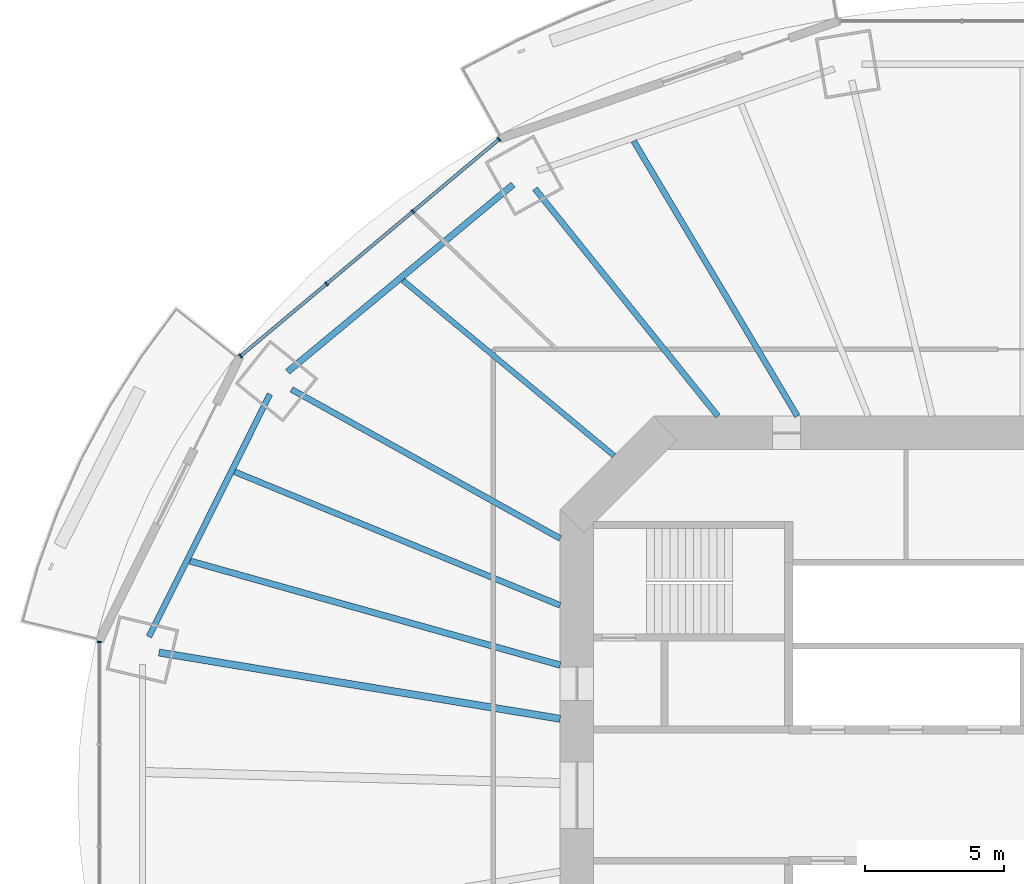
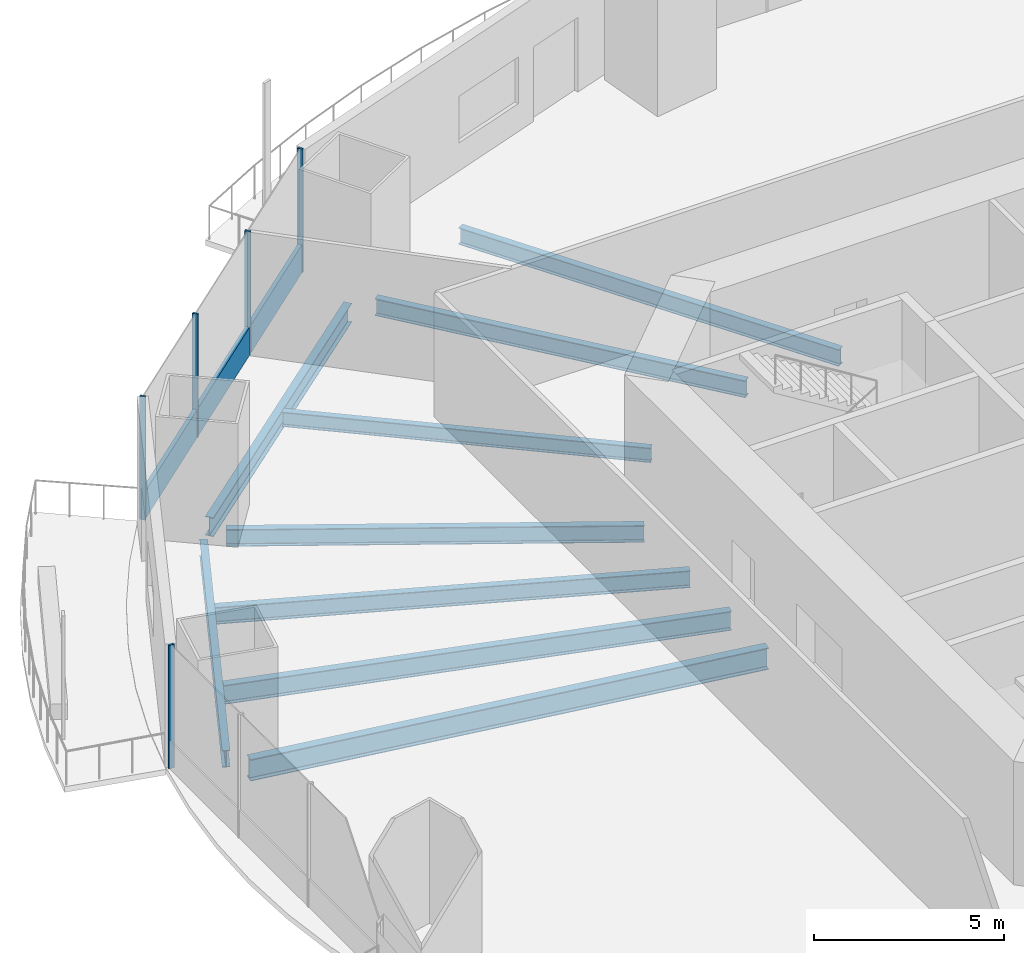
# One storey, part 6 of 21: 9 beams, 6 members, 2 elements without a shape of their own.
"""IFC4 building model written with IfcOpenShell, lengths in metres."""

from ifc_helpers import new_model, si_unit, direction, frame, origin, origin_2d, place, context, subcontext, project, spatial, rectangle, i_section, extrude, material, material_profile, profile_set, type_object, element, aggregate, save


model = new_model("IFC4")

# Units and contexts
model_context = context("Model", 3, precision=1e-05, world=origin(), true_north=direction((0.0, 1.0)))
body_context = subcontext(model_context, "Body", "Model", "MODEL_VIEW")
ifc_project = project(units=[si_unit("LENGTHUNIT", "METRE"), si_unit("AREAUNIT", "SQUARE_METRE"), si_unit("VOLUMEUNIT", "CUBIC_METRE"), si_unit("PLANEANGLEUNIT", "RADIAN"), si_unit("MASSUNIT", "GRAM", prefix="KILO")], contexts=[model_context])

# Site, building, storey
site_placement = place(None, origin())
site = spatial("IfcSite", under=ifc_project, at=site_placement, CompositionType="ELEMENT")
building_placement = place(site_placement, origin())
building = spatial("IfcBuilding", under=site, at=building_placement, Name="Marenthal Gate Tower", CompositionType="ELEMENT")
storey_placement = place(building_placement, frame((0.0, 0.0, 120.14990234375)))
storey = spatial("IfcBuildingStorey", under=building, at=storey_placement, Name="L25", CompositionType="ELEMENT", Elevation=120.14990234375)

# Curtain wall, members
ifc_material_1 = material(Name="Aluminium and glass", Category="aluminium")
curtain_wall_type = type_object("IfcCurtainWallType", Name="Curtain wall typical low", PredefinedType="NOTDEFINED", material=ifc_material_1)
curtain_wall_1_placement = place(storey_placement, origin())
curtain_wall_1 = element("IfcCurtainWall", 1, at=curtain_wall_1_placement, inside=storey, type_object=curtain_wall_type, Name="Curtain wall L25 bay 6", PredefinedType="NOTDEFINED")
ifc_material_2 = material(Name="Aluminium", Category="aluminium")
ifc_material_profile_1 = material_profile(ifc_material_2, rectangle(XDim=0.159912109375, YDim=0.06005859375, at=origin_2d()), Name="60x160 aluminium mullion")
ifc_profile_set_1 = profile_set([ifc_material_profile_1], Name="Aluminium")
member_type_1 = type_object("IfcMemberType", Name="Mullion 60x160 typical low", PredefinedType="MULLION", material=ifc_profile_set_1)
member_1_placement = place(storey_placement, frame((-18.79248046875, 23.529541015625, 0.0), z_axis=(0.0, 0.0, 1.0), x_axis=(0.642437868504, -0.766337774817, 0.0)))
member_1 = element("IfcMember", 2, at=member_1_placement, type_object=member_type_1, Name="Mullion L25 bay 6.1", PredefinedType="MULLION", context=body_context, shape_type="SweptSolid", body=[
    extrude(rectangle(XDim=0.159912109375, YDim=0.06005859375, at=origin_2d()), origin(), (0.0, 0.0, 1.0), 3.97021484375),
])
member_2_placement = place(storey_placement, frame((-21.884033203125, 20.937744140625, 0.0), z_axis=(0.0, 0.0, 1.0), x_axis=(0.642437868504, -0.766337774817, 0.0)))
member_2 = element("IfcMember", 3, at=member_2_placement, type_object=member_type_1, Name="Mullion L25 bay 6.2", PredefinedType="MULLION", context=body_context, shape_type="SweptSolid", body=[
    extrude(rectangle(XDim=0.159912109375, YDim=0.06005859375, at=origin_2d()), origin(), (0.0, 0.0, 1.0), 3.97021484375),
])
member_3_placement = place(storey_placement, frame((-24.975830078125, 18.345947265625, 0.0), z_axis=(0.0, 0.0, 1.0), x_axis=(0.642437868504, -0.766337774817, 0.0)))
member_3 = element("IfcMember", 4, at=member_3_placement, type_object=member_type_1, Name="Mullion L25 bay 6.3", PredefinedType="MULLION", context=body_context, shape_type="SweptSolid", body=[
    extrude(rectangle(XDim=0.159912109375, YDim=0.06005859375, at=origin_2d()), origin(), (0.0, 0.0, 1.0), 3.97021484375),
])
member_4_placement = place(storey_placement, frame((-28.0673828125, 15.754150390625, 0.0), z_axis=(0.0, 0.0, 1.0), x_axis=(0.642437868504, -0.766337774817, 0.0)))
member_4 = element("IfcMember", 5, at=member_4_placement, type_object=member_type_1, Name="Mullion L25 bay 6.4", PredefinedType="MULLION", context=body_context, shape_type="SweptSolid", body=[
    extrude(rectangle(XDim=0.159912109375, YDim=0.06005859375, at=origin_2d()), origin(), (0.0, 0.0, 1.0), 3.97021484375),
])

# Curtain wall, member
curtain_wall_2_placement = place(storey_placement, origin())
curtain_wall_2 = element("IfcCurtainWall", 6, at=curtain_wall_2_placement, inside=storey, type_object=curtain_wall_type, Name="Curtain wall L25 bay 8", PredefinedType="NOTDEFINED")
member_5_placement = place(storey_placement, frame((-33.134765625, 5.495361328125, 0.0), z_axis=(0.0, 0.0, 1.0), x_axis=(1.0, 0.0, 0.0)))
member_5 = element("IfcMember", 7, at=member_5_placement, type_object=member_type_1, Name="Mullion L25 bay 8.1", PredefinedType="MULLION", context=body_context, shape_type="SweptSolid", body=[
    extrude(rectangle(XDim=0.159912109375, YDim=0.06005859375, at=origin_2d()), origin(), (0.0, 0.0, 1.0), 3.97021484375),
])
aggregate(curtain_wall_2, [member_5])

# Member
ifc_material_3 = material(Name="Aluminium", Category="aluminium")
ifc_material_profile_2 = material_profile(ifc_material_3, rectangle(XDim=0.1201171875, YDim=0.89990234375, at=origin_2d()), Name="120x900 aluminium transom")
ifc_profile_set_2 = profile_set([ifc_material_profile_2], Name="Aluminium")
member_type_2 = type_object("IfcMemberType", Name="Transom 120x900 typical low", PredefinedType="USERDEFINED", material=ifc_profile_set_2)
member_6_placement = place(storey_placement, frame((-18.8154296875, 23.51025390625, 0.4501953125), z_axis=(-0.766340278264, -0.642434882233, 0.0), x_axis=(0.642434882233, -0.766340278264, 0.0)))
member_6 = element("IfcMember", 8, at=member_6_placement, type_object=member_type_2, Name="Transom L25 bay 6", ObjectType="TRANSOM", PredefinedType="USERDEFINED", context=body_context, shape_type="SweptSolid", body=[
    extrude(rectangle(XDim=0.1201171875, YDim=0.89990234375, at=origin_2d()), origin(), (0.0, 0.0, 1.0), 12.04296875),
])

aggregate(curtain_wall_1, [member_1, member_2, member_3, member_4, member_6])

# Beams
ifc_material_4 = material(Name="Steel S355", Category="steel")
ifc_material_profile_3 = material_profile(ifc_material_4, i_section(OverallWidth=0.193115234375, OverallDepth=0.467041015625, WebThickness=0.011474609375, FlangeThickness=0.01904296875, FilletRadius=0.010009765625, at=origin_2d()), Name="W460X97")
ifc_profile_set_3 = profile_set([ifc_material_profile_3], Name="Steel S355")
beam_type_1 = type_object("IfcBeamType", Name="W460X97 beam", PredefinedType="BEAM", material=ifc_profile_set_3)
beam_1_placement = place(storey_placement, frame((-22.244384765625, 18.4716796875, -0.413330078125), z_axis=(0.7693296468, -0.638852013031, 0.0), x_axis=(0.638852013031, 0.7693296468, 0.0)))
element("IfcBeam", 9, at=beam_1_placement, inside=storey, type_object=beam_type_1, Name="BM-L25-25", PredefinedType="BEAM", context=body_context, shape_type="SweptSolid", body=[
    extrude(i_section(OverallWidth=0.193115234375, OverallDepth=0.467041015625, WebThickness=0.011474609375, FlangeThickness=0.01904296875, FilletRadius=0.010009765625, at=origin_2d()), origin(), (0.0, 0.0, 1.0), 9.84765625),
])
ifc_material_5 = material(Name="Steel S355", Category="steel")
ifc_material_profile_4 = material_profile(ifc_material_5, i_section(OverallWidth=0.2099609375, OverallDepth=0.535888671875, WebThickness=0.010986328125, FlangeThickness=0.017333984375, FilletRadius=0.0126953125, at=origin_2d()), Name="W530X101")
ifc_profile_set_4 = profile_set([ifc_material_profile_4], Name="Steel S355")
beam_type_2 = type_object("IfcBeamType", Name="W530X101 beam", PredefinedType="BEAM", material=ifc_profile_set_4)
beam_2_placement = place(storey_placement, frame((-13.962158203125, 23.4658203125, -0.447998046875), z_axis=(0.51133355271, -0.859382335095, 0.0), x_axis=(0.859382335095, 0.51133355271, 0.0)))
element("IfcBeam", 10, at=beam_2_placement, inside=storey, type_object=beam_type_2, Name="BM-L25-24", PredefinedType="BEAM", context=body_context, shape_type="SweptSolid", body=[
    extrude(i_section(OverallWidth=0.2099609375, OverallDepth=0.535888671875, WebThickness=0.010986328125, FlangeThickness=0.017333984375, FilletRadius=0.0126953125, at=origin_2d()), origin(), (0.0, 0.0, 1.0), 11.47998046875),
])
ifc_material_6 = material(Name="Steel S355", Category="steel")
ifc_material_profile_5 = material_profile(ifc_material_6, i_section(OverallWidth=0.2119140625, OverallDepth=0.5439453125, WebThickness=0.01318359375, FlangeThickness=0.021240234375, FilletRadius=0.0126953125, at=origin_2d()), Name="W530X123")
ifc_profile_set_5 = profile_set([ifc_material_profile_5], Name="Steel S355")
beam_type_3 = type_object("IfcBeamType", Name="W530X123 beam", PredefinedType="BEAM", material=ifc_profile_set_5)
beam_3_placement = place(storey_placement, frame((-17.505126953125, 21.755126953125, -0.451904296875), z_axis=(0.626891327439, -0.779106708726, 0.0), x_axis=(0.779106708726, 0.626891327439, 0.0)))
element("IfcBeam", 11, at=beam_3_placement, inside=storey, type_object=beam_type_3, Name="BM-L25-06", PredefinedType="BEAM", context=body_context, shape_type="SweptSolid", body=[
    extrude(i_section(OverallWidth=0.2119140625, OverallDepth=0.5439453125, WebThickness=0.01318359375, FlangeThickness=0.021240234375, FilletRadius=0.0126953125, at=origin_2d()), origin(), (0.0, 0.0, 1.0), 10.467041015625),
])
beam_4_placement = place(storey_placement, frame((-26.23779296875, 14.55810546875, -0.451904296875), z_axis=(0.874421492378, -0.485167036872, 0.0), x_axis=(0.485167036872, 0.874421492378, 0.0)))
element("IfcBeam", 12, at=beam_4_placement, inside=storey, type_object=beam_type_3, Name="BM-L25-07", PredefinedType="BEAM", context=body_context, shape_type="SweptSolid", body=[
    extrude(i_section(OverallWidth=0.2119140625, OverallDepth=0.5439453125, WebThickness=0.01318359375, FlangeThickness=0.021240234375, FilletRadius=0.0126953125, at=origin_2d()), origin(), (0.0, 0.0, 1.0), 11.021728515625),
])
beam_5_placement = place(storey_placement, frame((-28.281005859375, 11.603515625, -0.451904296875), z_axis=(0.925153122317, -0.379594125702, 0.0), x_axis=(0.379594125702, 0.925153122317, 0.0)))
element("IfcBeam", 13, at=beam_5_placement, inside=storey, type_object=beam_type_3, Name="BM-L25-26", PredefinedType="BEAM", context=body_context, shape_type="SweptSolid", body=[
    extrude(i_section(OverallWidth=0.2119140625, OverallDepth=0.5439453125, WebThickness=0.01318359375, FlangeThickness=0.021240234375, FilletRadius=0.0126953125, at=origin_2d()), origin(), (0.0, 0.0, 1.0), 12.6259765625),
])
beam_6_placement = place(storey_placement, frame((-27.01025390625, 14.388671875, -0.451904296875), z_axis=(-0.446359643577, -0.894853657637, 0.0), x_axis=(0.894853657637, -0.446359643577, 0.0)))
element("IfcBeam", 14, at=beam_6_placement, inside=storey, type_object=beam_type_3, Name="BM-L25-47", PredefinedType="BEAM", context=body_context, shape_type="SweptSolid", body=[
    extrude(i_section(OverallWidth=0.2119140625, OverallDepth=0.5439453125, WebThickness=0.01318359375, FlangeThickness=0.021240234375, FilletRadius=0.0126953125, at=origin_2d()), origin(), (0.0, 0.0, 1.0), 9.72265625),
])
ifc_material_7 = material(Name="Steel S355", Category="steel")
ifc_material_profile_6 = material_profile(ifc_material_7, i_section(OverallWidth=0.22900390625, OverallDepth=0.612060546875, WebThickness=0.011962890625, FlangeThickness=0.01953125, FilletRadius=0.0126953125, at=origin_2d()), Name="W610X125")
ifc_profile_set_6 = profile_set([ifc_material_profile_6], Name="Steel S355")
beam_type_4 = type_object("IfcBeamType", Name="W610X125 beam", PredefinedType="BEAM", material=ifc_profile_set_6)
beam_7_placement = place(storey_placement, frame((-29.87841796875, 8.401123046875, -0.48583984375), z_axis=(0.962667661215, -0.270686117213, 0.0), x_axis=(0.270686117213, 0.962667661215, 0.0)))
element("IfcBeam", 15, at=beam_7_placement, inside=storey, type_object=beam_type_4, Name="BM-L25-27", PredefinedType="BEAM", context=body_context, shape_type="SweptSolid", body=[
    extrude(i_section(OverallWidth=0.22900390625, OverallDepth=0.612060546875, WebThickness=0.011962890625, FlangeThickness=0.01953125, FilletRadius=0.0126953125, at=origin_2d()), origin(), (0.0, 0.0, 1.0), 13.793212890625),
])
beam_8_placement = place(storey_placement, frame((-18.289794921875, 21.904541015625, -0.48583984375), z_axis=(-0.769335786628, -0.638844619148, 0.0), x_axis=(0.638844619148, -0.769335786628, 0.0)))
element("IfcBeam", 16, at=beam_8_placement, inside=storey, type_object=beam_type_4, Name="BM-L25-46", PredefinedType="BEAM", context=body_context, shape_type="SweptSolid", body=[
    extrude(i_section(OverallWidth=0.22900390625, OverallDepth=0.612060546875, WebThickness=0.011962890625, FlangeThickness=0.01953125, FilletRadius=0.0126953125, at=origin_2d()), origin(), (0.0, 0.0, 1.0), 10.510986328125),
])
ifc_material_8 = material(Name="Steel S355", Category="steel")
ifc_material_profile_7 = material_profile(ifc_material_8, i_section(OverallWidth=0.257080078125, OverallDepth=0.693115234375, WebThickness=0.014404296875, FlangeThickness=0.023681640625, FilletRadius=0.015380859375, at=origin_2d()), Name="W690X170")
ifc_profile_set_7 = profile_set([ifc_material_profile_7], Name="Steel S355")
beam_type_5 = type_object("IfcBeamType", Name="W690X170 beam", PredefinedType="BEAM", material=ifc_profile_set_7)
beam_9_placement = place(storey_placement, frame((-30.990478515625, 5.118896484375, -0.5263671875), z_axis=(0.986631300462, -0.162968331122, 0.0), x_axis=(0.162968331122, 0.986631300462, 0.0)))
element("IfcBeam", 17, at=beam_9_placement, inside=storey, type_object=beam_type_5, Name="BM-L25-08", PredefinedType="BEAM", context=body_context, shape_type="SweptSolid", body=[
    extrude(i_section(OverallWidth=0.257080078125, OverallDepth=0.693115234375, WebThickness=0.014404296875, FlangeThickness=0.023681640625, FilletRadius=0.015380859375, at=origin_2d()), origin(), (0.0, 0.0, 1.0), 14.58544921875),
])

save(model, "model.ifc")
